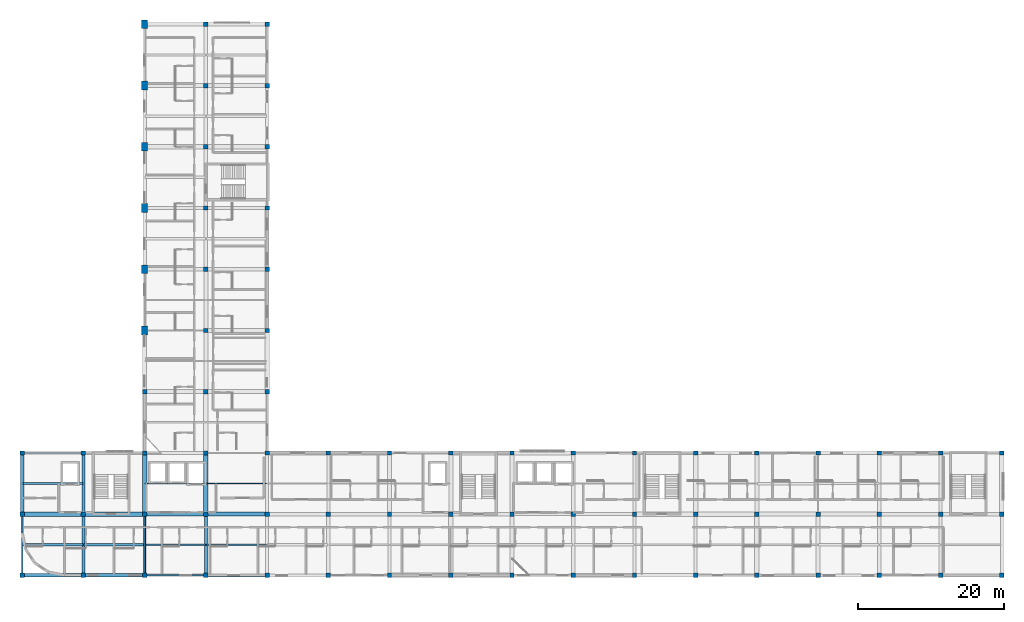
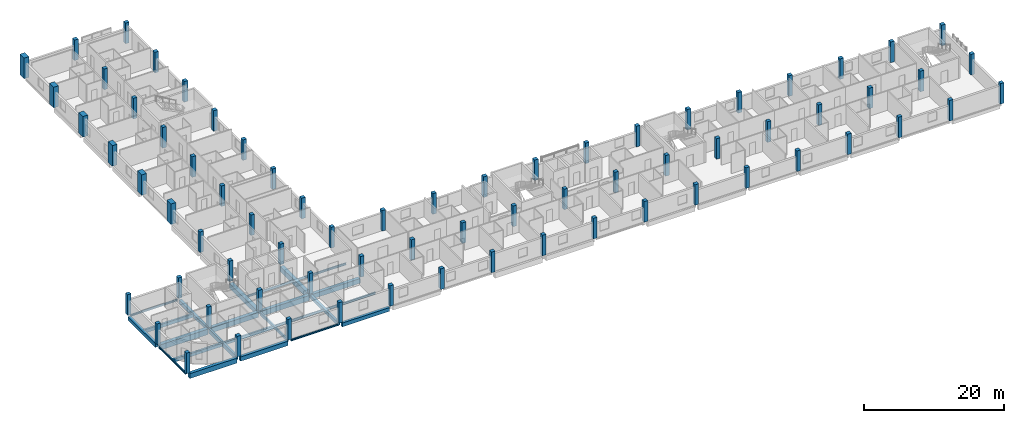
# One storey, part 1 of 24: 72 columns, 24 beams.
"""IFC4 building model written with IfcOpenShell, lengths in metres."""

from ifc_helpers import new_model, si_unit, derived_unit, direction, frame, origin, origin_2d, place, context, subcontext, project, spatial, rectangle, i_section, extrude, material, material_profile, profile_set, type_object, element, save


model = new_model("IFC4")

# Units and contexts
model_context = context("Model", 3, precision=1e-05, world=origin(), true_north=direction((0.0, 1.0)))
body_context = subcontext(model_context, "Body", "Model", "MODEL_VIEW")
ifc_project = project(units=[si_unit("LENGTHUNIT", "METRE"), si_unit("AREAUNIT", "SQUARE_METRE"), si_unit("VOLUMEUNIT", "CUBIC_METRE"), si_unit("PLANEANGLEUNIT", "RADIAN"), si_unit("MASSUNIT", "GRAM", prefix="KILO"), derived_unit("THERMALTRANSMITTANCEUNIT", [(si_unit("POWERUNIT", "WATT"), 1), (si_unit("LENGTHUNIT", "METRE"), -2), (si_unit("THERMODYNAMICTEMPERATUREUNIT", "KELVIN"), -1)])], contexts=[model_context])

# Site, building, storey
site_placement = place(None, origin())
site = spatial("IfcSite", under=ifc_project, at=site_placement, CompositionType="ELEMENT")
building_placement = place(site_placement, origin())
building = spatial("IfcBuilding", under=site, at=building_placement, Name="Barrovel Congress Hotel", CompositionType="ELEMENT")
storey_placement = place(building_placement, frame((0.0, 0.0, 29.10009765625)))
storey = spatial("IfcBuildingStorey", under=building, at=storey_placement, Name="L07", CompositionType="ELEMENT", Elevation=29.10009765625)

# Columns
ifc_material_1 = material(Name="Concrete C40", Category="concrete")
ifc_material_profile_1 = material_profile(ifc_material_1, rectangle(XDim=0.60009765625, YDim=0.60009765625, at=origin_2d()), Name="RC600x600")
ifc_profile_set_1 = profile_set([ifc_material_profile_1], Name="Concrete C40")
column_type_1 = type_object("IfcColumnType", Name="COL-RC600x600", PredefinedType="COLUMN", material=ifc_profile_set_1)
for number, where, z_axis, x_axis, name in (
    (1, (16.800048828125, 4.199951171875, 0.0), (0.0, 0.0, 1.0), (1.0, 0.0, 0.0), "COL:L07:16.8:4.2"),
    (2, (16.800048828125, 12.60009765625, 0.0), (0.0, 0.0, 1.0), (1.0, 0.0, 0.0), "COL:L07:16.8:12.6"),
    (3, (16.800048828125, 21.0, 0.0), (0.0, 0.0, 1.0), (1.0, 0.0, 0.0), "COL:L07:16.8:21.0"),
    (4, (25.199951171875, 4.199951171875, 0.0), (0.0, 0.0, 1.0), (1.0, 0.0, 0.0), "COL:L07:25.2:4.2"),
    (5, (25.199951171875, 12.60009765625, 0.0), (0.0, 0.0, 1.0), (1.0, 0.0, 0.0), "COL:L07:25.2:12.6"),
    (6, (25.199951171875, 21.0, 0.0), (0.0, 0.0, 1.0), (1.0, 0.0, 0.0), "COL:L07:25.2:21.0"),
    (7, (33.60009765625, 4.199951171875, 0.0), (0.0, 0.0, 1.0), (1.0, 0.0, 0.0), "COL:L07:33.6:4.2"),
    (8, (33.60009765625, 12.60009765625, 0.0), (0.0, 0.0, 1.0), (1.0, 0.0, 0.0), "COL:L07:33.6:12.6"),
    (9, (33.60009765625, 21.0, 0.0), (0.0, 0.0, 1.0), (1.0, 0.0, 0.0), "COL:L07:33.6:21.0"),
    (10, (33.60009765625, 29.39990234375, 0.0), (0.0, 0.0, 1.0), (1.0, 0.0, 0.0), "COL:L07:33.6:29.4"),
    (11, (42.0, 4.199951171875, 0.0), (0.0, 0.0, 1.0), (1.0, 0.0, 0.0), "COL:L07:42.0:4.2"),
    (12, (42.0, 12.60009765625, 0.0), (0.0, 0.0, 1.0), (1.0, 0.0, 0.0), "COL:L07:42.0:12.6"),
    (13, (42.0, 21.0, 0.0), (0.0, 0.0, 1.0), (1.0, 0.0, 0.0), "COL:L07:42.0:21.0"),
    (14, (42.0, 29.39990234375, 0.0), (0.0, 0.0, 1.0), (1.0, 0.0, 0.0), "COL:L07:42.0:29.4"),
    (15, (42.0, 37.800048828125, 0.0), (0.0, 0.0, 1.0), (1.0, 0.0, 0.0), "COL:L07:42.0:37.8"),
    (16, (42.0, 46.199951171875, 0.0), (0.0, 0.0, 1.0), (1.0, 0.0, 0.0), "COL:L07:42.0:46.2"),
    (17, (42.0, 54.60009765625, 0.0), (0.0, 0.0, 1.0), (1.0, 0.0, 0.0), "COL:L07:42.0:54.6"),
    (18, (42.0, 63.0, 0.0), (0.0, 0.0, 1.0), (1.0, 0.0, 0.0), "COL:L07:42.0:63.0"),
    (19, (42.0, 71.39990234375, 0.0), (0.0, 0.0, 1.0), (1.0, 0.0, 0.0), "COL:L07:42.0:71.4"),
    (20, (42.0, 79.800048828125, 0.0), (0.0, 0.0, 1.0), (1.0, 0.0, 0.0), "COL:L07:42.0:79.8"),
    (21, (50.39990234375, 4.199951171875, 0.0), (0.0, 0.0, 1.0), (1.0, 0.0, 0.0), "COL:L07:50.4:4.2"),
    (22, (50.39990234375, 12.60009765625, 0.0), (0.0, 0.0, 1.0), (1.0, 0.0, 0.0), "COL:L07:50.4:12.6"),
    (23, (50.39990234375, 21.0, 0.0), (0.0, 0.0, 1.0), (1.0, 0.0, 0.0), "COL:L07:50.4:21.0"),
    (24, (50.39990234375, 29.39990234375, 0.0), (0.0, 0.0, 1.0), (1.0, 0.0, 0.0), "COL:L07:50.4:29.4"),
    (25, (50.39990234375, 37.800048828125, 0.0), (0.0, 0.0, 1.0), (1.0, 0.0, 0.0), "COL:L07:50.4:37.8"),
    (26, (50.39990234375, 46.199951171875, 0.0), (0.0, 0.0, 1.0), (1.0, 0.0, 0.0), "COL:L07:50.4:46.2"),
    (27, (50.39990234375, 54.60009765625, 0.0), (0.0, 0.0, 1.0), (1.0, 0.0, 0.0), "COL:L07:50.4:54.6"),
    (28, (50.39990234375, 63.0, 0.0), (0.0, 0.0, 1.0), (1.0, 0.0, 0.0), "COL:L07:50.4:63.0"),
    (29, (50.39990234375, 71.39990234375, 0.0), (0.0, 0.0, 1.0), (1.0, 0.0, 0.0), "COL:L07:50.4:71.4"),
    (30, (50.39990234375, 79.800048828125, 0.0), (0.0, 0.0, 1.0), (1.0, 0.0, 0.0), "COL:L07:50.4:79.8"),
    (31, (58.800048828125, 4.199951171875, 0.0), (0.0, 0.0, 1.0), (1.0, 0.0, 0.0), "COL:L07:58.8:4.2"),
    (32, (58.800048828125, 12.60009765625, 0.0), (0.0, 0.0, 1.0), (1.0, 0.0, 0.0), "COL:L07:58.8:12.6"),
    (33, (58.800048828125, 21.0, 0.0), (0.0, 0.0, 1.0), (1.0, 0.0, 0.0), "COL:L07:58.8:21.0"),
    (34, (67.199951171875, 4.199951171875, 0.0), (0.0, 0.0, 1.0), (1.0, 0.0, 0.0), "COL:L07:67.2:4.2"),
    (35, (67.199951171875, 12.60009765625, 0.0), (0.0, 0.0, 1.0), (1.0, 0.0, 0.0), "COL:L07:67.2:12.6"),
    (36, (67.199951171875, 21.0, 0.0), (0.0, 0.0, 1.0), (1.0, 0.0, 0.0), "COL:L07:67.2:21.0"),
    (37, (75.60009765625, 4.199951171875, 0.0), (0.0, 0.0, 1.0), (1.0, 0.0, 0.0), "COL:L07:75.6:4.2"),
    (38, (75.60009765625, 12.60009765625, 0.0), (0.0, 0.0, 1.0), (1.0, 0.0, 0.0), "COL:L07:75.6:12.6"),
    (39, (75.60009765625, 21.0, 0.0), (0.0, 0.0, 1.0), (1.0, 0.0, 0.0), "COL:L07:75.6:21.0"),
    (40, (84.0, 4.199951171875, 0.0), (0.0, 0.0, 1.0), (1.0, 0.0, 0.0), "COL:L07:84.0:4.2"),
    (41, (84.0, 12.60009765625, 0.0), (0.0, 0.0, 1.0), (1.0, 0.0, 0.0), "COL:L07:84.0:12.6"),
    (42, (84.0, 21.0, 0.0), (0.0, 0.0, 1.0), (1.0, 0.0, 0.0), "COL:L07:84.0:21.0"),
    (43, (92.39990234375, 4.199951171875, 0.0), (0.0, 0.0, 1.0), (1.0, 0.0, 0.0), "COL:L07:92.4:4.2"),
    (44, (92.39990234375, 12.60009765625, 0.0), (0.0, 0.0, 1.0), (1.0, 0.0, 0.0), "COL:L07:92.4:12.6"),
    (45, (92.39990234375, 21.0, 0.0), (0.0, 0.0, 1.0), (1.0, 0.0, 0.0), "COL:L07:92.4:21.0"),
    (46, (100.800048828125, 4.199951171875, 0.0), (0.0, 0.0, 1.0), (1.0, 0.0, 0.0), "COL:L07:100.8:4.2"),
    (47, (100.800048828125, 12.60009765625, 0.0), (0.0, 0.0, 1.0), (1.0, 0.0, 0.0), "COL:L07:100.8:12.6"),
    (48, (100.800048828125, 21.0, 0.0), (0.0, 0.0, 1.0), (1.0, 0.0, 0.0), "COL:L07:100.8:21.0"),
    (49, (109.199951171875, 4.199951171875, 0.0), (0.0, 0.0, 1.0), (1.0, 0.0, 0.0), "COL:L07:109.2:4.2"),
    (50, (109.199951171875, 12.60009765625, 0.0), (0.0, 0.0, 1.0), (1.0, 0.0, 0.0), "COL:L07:109.2:12.6"),
    (51, (109.199951171875, 21.0, 0.0), (0.0, 0.0, 1.0), (1.0, 0.0, 0.0), "COL:L07:109.2:21.0"),
    (52, (117.60009765625, 4.199951171875, 0.0), (0.0, 0.0, 1.0), (1.0, 0.0, 0.0), "COL:L07:117.6:4.2"),
    (53, (117.60009765625, 12.60009765625, 0.0), (0.0, 0.0, 1.0), (1.0, 0.0, 0.0), "COL:L07:117.6:12.6"),
    (54, (117.60009765625, 21.0, 0.0), (0.0, 0.0, 1.0), (1.0, 0.0, 0.0), "COL:L07:117.6:21.0"),
    (55, (126.0, 4.199951171875, 0.0), (0.0, 0.0, 1.0), (1.0, 0.0, 0.0), "COL:L07:126.0:4.2"),
    (56, (126.0, 12.60009765625, 0.0), (0.0, 0.0, 1.0), (1.0, 0.0, 0.0), "COL:L07:126.0:12.6"),
    (57, (126.0, 21.0, 0.0), (0.0, 0.0, 1.0), (1.0, 0.0, 0.0), "COL:L07:126.0:21.0"),
    (58, (134.39990234375, 4.199951171875, 0.0), (0.0, 0.0, 1.0), (1.0, 0.0, 0.0), "COL:L07:134.4:4.2"),
    (59, (134.39990234375, 12.60009765625, 0.0), (0.0, 0.0, 1.0), (1.0, 0.0, 0.0), "COL:L07:134.4:12.6"),
    (60, (134.39990234375, 21.0, 0.0), (0.0, 0.0, 1.0), (1.0, 0.0, 0.0), "COL:L07:134.4:21.0"),
    (61, (142.800048828125, 4.199951171875, 0.0), (0.0, 0.0, 1.0), (1.0, 0.0, 0.0), "COL:L07:142.8:4.2"),
    (62, (142.800048828125, 12.60009765625, 0.0), (0.0, 0.0, 1.0), (1.0, 0.0, 0.0), "COL:L07:142.8:12.6"),
    (63, (142.800048828125, 21.0, 0.0), (0.0, 0.0, 1.0), (1.0, 0.0, 0.0), "COL:L07:142.8:21.0"),
    (64, (151.199951171875, 4.199951171875, 0.0), (0.0, 0.0, 1.0), (1.0, 0.0, 0.0), "COL:L07:151.2:4.2"),
    (65, (151.199951171875, 12.60009765625, 0.0), (0.0, 0.0, 1.0), (1.0, 0.0, 0.0), "COL:L07:151.2:12.6"),
    (66, (151.199951171875, 21.0, 0.0), (0.0, 0.0, 1.0), (1.0, 0.0, 0.0), "COL:L07:151.2:21.0"),
):
    element("IfcColumn", number, at=place(storey_placement, frame(where, z_axis=z_axis, x_axis=x_axis)), inside=storey, type_object=column_type_1, Name=name, PredefinedType="COLUMN", context=body_context, shape_type="SweptSolid", body=[
        extrude(rectangle(XDim=0.60009765625, YDim=0.60009765625, at=origin_2d()), origin(), (0.0, 0.0, 1.0), 3.599853515625),
    ])
ifc_material_profile_2 = material_profile(ifc_material_1, rectangle(XDim=0.800048828125, YDim=1.199951171875, at=origin_2d()), Name="RC800x1200")
ifc_profile_set_2 = profile_set([ifc_material_profile_2], Name="Concrete C40")
column_type_2 = type_object("IfcColumnType", Name="COL-RC800x1200", PredefinedType="COLUMN", material=ifc_profile_set_2)
for number, where, z_axis, x_axis, name in (
    (67, (33.60009765625, 37.800048828125, 0.0), (0.0, 0.0, 1.0), (1.0, 0.0, 0.0), "COL:L07:33.6:37.8"),
    (68, (33.60009765625, 46.199951171875, 0.0), (0.0, 0.0, 1.0), (1.0, 0.0, 0.0), "COL:L07:33.6:46.2"),
    (69, (33.60009765625, 54.60009765625, 0.0), (0.0, 0.0, 1.0), (1.0, 0.0, 0.0), "COL:L07:33.6:54.6"),
    (70, (33.60009765625, 63.0, 0.0), (0.0, 0.0, 1.0), (1.0, 0.0, 0.0), "COL:L07:33.6:63.0"),
    (71, (33.60009765625, 71.39990234375, 0.0), (0.0, 0.0, 1.0), (1.0, 0.0, 0.0), "COL:L07:33.6:71.4"),
    (72, (33.60009765625, 79.800048828125, 0.0), (0.0, 0.0, 1.0), (1.0, 0.0, 0.0), "COL:L07:33.6:79.8"),
):
    element("IfcColumn", number, at=place(storey_placement, frame(where, z_axis=z_axis, x_axis=x_axis)), inside=storey, type_object=column_type_2, Name=name, PredefinedType="COLUMN", context=body_context, shape_type="SweptSolid", body=[
        extrude(rectangle(XDim=0.800048828125, YDim=1.199951171875, at=origin_2d()), origin(), (0.0, 0.0, 1.0), 3.599853515625),
    ])

# Beams
ifc_material_profile_3 = material_profile(ifc_material_1, rectangle(XDim=0.25, YDim=0.5, at=origin_2d()), Name="RC250x500")
ifc_profile_set_3 = profile_set([ifc_material_profile_3], Name="Concrete C40")
beam_type_1 = type_object("IfcBeamType", Name="BM-RC250x500", PredefinedType="SPANDREL", material=ifc_profile_set_3)
beam_1_placement = place(storey_placement, frame((33.60009765625, 4.5, -0.47021484375), z_axis=(0.0, 1.0, 0.0), x_axis=(-1.0, 0.0, 0.0)))
element("IfcBeam", 73, at=beam_1_placement, inside=storey, type_object=beam_type_1, Name="BMY:L07:33.6:4.2-12.6", PredefinedType="SPANDREL", context=body_context, shape_type="SweptSolid", body=[
    extrude(rectangle(XDim=0.25, YDim=0.5, at=origin_2d()), origin(), (0.0, 0.0, 1.0), 7.800048828125),
])
ifc_material_profile_4 = material_profile(ifc_material_1, rectangle(XDim=0.300048828125, YDim=0.5, at=origin_2d()), Name="RC300x500")
ifc_profile_set_4 = profile_set([ifc_material_profile_4], Name="Concrete C40")
beam_type_2 = type_object("IfcBeamType", Name="BM-RC300x500", PredefinedType="JOIST", material=ifc_profile_set_4)
beam_2_placement = place(storey_placement, frame((25.280029296875, 8.39990234375, -0.47021484375), z_axis=(1.0, 0.0, 0.0), x_axis=(0.0, 1.0, 0.0)))
element("IfcBeam", 74, at=beam_2_placement, inside=storey, type_object=beam_type_2, Name="JST:L07:25.2:8.4", PredefinedType="JOIST", context=body_context, shape_type="SweptSolid", body=[
    extrude(rectangle(XDim=0.300048828125, YDim=0.5, at=origin_2d()), origin(), (0.0, 0.0, 1.0), 8.239990234375),
])
ifc_material_profile_5 = material_profile(ifc_material_1, rectangle(XDim=0.300048828125, YDim=0.60009765625, at=origin_2d()), Name="RC300x600")
ifc_profile_set_5 = profile_set([ifc_material_profile_5], Name="Concrete C40")
beam_type_3 = type_object("IfcBeamType", Name="BM-RC300x600", PredefinedType="JOIST", material=ifc_profile_set_5)
beam_3_placement = place(storey_placement, frame((16.8798828125, 16.800048828125, -0.52001953125), z_axis=(1.0, 0.0, 0.0), x_axis=(0.0, 1.0, 0.0)))
element("IfcBeam", 75, at=beam_3_placement, inside=storey, type_object=beam_type_3, Name="JST:L07:16.8:16.8", PredefinedType="JOIST", context=body_context, shape_type="SweptSolid", body=[
    extrude(rectangle(XDim=0.300048828125, YDim=0.60009765625, at=origin_2d()), origin(), (0.0, 0.0, 1.0), 8.240234375),
])
ifc_material_profile_6 = material_profile(ifc_material_1, rectangle(XDim=0.35009765625, YDim=0.550048828125, at=origin_2d()), Name="RC350x550")
ifc_profile_set_6 = profile_set([ifc_material_profile_6], Name="Concrete C40")
beam_type_4 = type_object("IfcBeamType", Name="BM-RC350x550", PredefinedType="JOIST", material=ifc_profile_set_6)
beam_4_placement = place(storey_placement, frame((16.8798828125, 8.39990234375, -0.4951171875), z_axis=(1.0, 0.0, 0.0), x_axis=(0.0, 1.0, 0.0)))
element("IfcBeam", 76, at=beam_4_placement, inside=storey, type_object=beam_type_4, Name="JST:L07:16.8:8.4", PredefinedType="JOIST", context=body_context, shape_type="SweptSolid", body=[
    extrude(rectangle(XDim=0.35009765625, YDim=0.550048828125, at=origin_2d()), origin(), (0.0, 0.0, 1.0), 8.240234375),
])
ifc_material_profile_7 = material_profile(ifc_material_1, rectangle(XDim=0.39990234375, YDim=0.60009765625, at=origin_2d()), Name="RC400x600")
ifc_profile_set_7 = profile_set([ifc_material_profile_7], Name="Concrete C40")
beam_type_5 = type_object("IfcBeamType", Name="BM-RC400x600", PredefinedType="BEAM", material=ifc_profile_set_7)
for number, where, z_axis, x_axis, name in (
    (77, (25.199951171875, 12.89990234375, -0.52001953125), (0.0, 1.0, 0.0), (-1.0, 0.0, 0.0), "BMY:L07:25.2:12.6-21.0"),
    (78, (42.0, 4.5, -0.52001953125), (0.0, 1.0, 0.0), (-1.0, 0.0, 0.0), "BMY:L07:42.0:4.2-12.6"),
):
    element("IfcBeam", number, at=place(storey_placement, frame(where, z_axis=z_axis, x_axis=x_axis)), inside=storey, type_object=beam_type_5, Name=name, PredefinedType="BEAM", context=body_context, shape_type="SweptSolid", body=[
        extrude(rectangle(XDim=0.39990234375, YDim=0.60009765625, at=origin_2d()), origin(), (0.0, 0.0, 1.0), 7.800048828125),
    ])
ifc_material_profile_8 = material_profile(ifc_material_1, rectangle(XDim=0.39990234375, YDim=0.699951171875, at=origin_2d()), Name="RC400x700")
ifc_profile_set_8 = profile_set([ifc_material_profile_8], Name="Concrete C40")
beam_type_6 = type_object("IfcBeamType", Name="BM-RC400x700", PredefinedType="BEAM", material=ifc_profile_set_8)
beam_5_placement = place(storey_placement, frame((25.199951171875, 4.5, -0.570068359375), z_axis=(0.0, 1.0, 0.0), x_axis=(-1.0, 0.0, 0.0)))
element("IfcBeam", 79, at=beam_5_placement, inside=storey, type_object=beam_type_6, Name="BMY:L07:25.2:4.2-12.6", PredefinedType="BEAM", context=body_context, shape_type="SweptSolid", body=[
    extrude(rectangle(XDim=0.39990234375, YDim=0.699951171875, at=origin_2d()), origin(), (0.0, 0.0, 1.0), 7.800048828125),
])
ifc_material_profile_9 = material_profile(ifc_material_1, rectangle(XDim=0.449951171875, YDim=0.64990234375, at=origin_2d()), Name="RC450x650")
ifc_profile_set_9 = profile_set([ifc_material_profile_9], Name="Concrete C40")
beam_type_7 = type_object("IfcBeamType", Name="BM-RC450x650", PredefinedType="BEAM", material=ifc_profile_set_9)
for number, where, z_axis, x_axis, name in (
    (80, (42.300048828125, 4.199951171875, -0.545166015625), (1.0, 0.0, 0.0), (0.0, 1.0, 0.0), "BMX:L07:4.2:42.0-50.4"),
    (81, (16.800048828125, 12.89990234375, -0.545166015625), (0.0, 1.0, 0.0), (-1.0, 0.0, 0.0), "BMY:L07:16.8:12.6-21.0"),
):
    element("IfcBeam", number, at=place(storey_placement, frame(where, z_axis=z_axis, x_axis=x_axis)), inside=storey, type_object=beam_type_7, Name=name, PredefinedType="BEAM", context=body_context, shape_type="SweptSolid", body=[
        extrude(rectangle(XDim=0.449951171875, YDim=0.64990234375, at=origin_2d()), origin(), (0.0, 0.0, 1.0), 7.800048828125),
    ])
ifc_material_profile_10 = material_profile(ifc_material_1, rectangle(XDim=0.5, YDim=0.75, at=origin_2d()), Name="RC500x750")
ifc_profile_set_10 = profile_set([ifc_material_profile_10], Name="Concrete C40")
beam_type_8 = type_object("IfcBeamType", Name="BM-RC500x750", PredefinedType="BEAM", material=ifc_profile_set_10)
beam_6_placement = place(storey_placement, frame((25.5, 4.199951171875, -0.59521484375), z_axis=(1.0, 0.0, 0.0), x_axis=(0.0, 1.0, 0.0)))
element("IfcBeam", 82, at=beam_6_placement, inside=storey, type_object=beam_type_8, Name="BMX:L07:4.2:25.2-33.6", PredefinedType="BEAM", context=body_context, shape_type="SweptSolid", body=[
    extrude(rectangle(XDim=0.5, YDim=0.75, at=origin_2d()), origin(), (0.0, 0.0, 1.0), 7.800048828125),
])
ifc_material_profile_11 = material_profile(ifc_material_1, rectangle(XDim=0.5, YDim=0.85009765625, at=origin_2d()), Name="RC500x850")
ifc_profile_set_11 = profile_set([ifc_material_profile_11], Name="Concrete C40")
beam_type_9 = type_object("IfcBeamType", Name="BM-RC500x850", PredefinedType="BEAM", material=ifc_profile_set_11)
beam_7_placement = place(storey_placement, frame((17.10009765625, 4.199951171875, -0.64501953125), z_axis=(1.0, 0.0, 0.0), x_axis=(0.0, 1.0, 0.0)))
element("IfcBeam", 83, at=beam_7_placement, inside=storey, type_object=beam_type_9, Name="BMX:L07:4.2:16.8-25.2", PredefinedType="BEAM", context=body_context, shape_type="SweptSolid", body=[
    extrude(rectangle(XDim=0.5, YDim=0.85009765625, at=origin_2d()), origin(), (0.0, 0.0, 1.0), 7.7998046875),
])
ifc_material_profile_12 = material_profile(ifc_material_1, rectangle(XDim=0.550048828125, YDim=0.800048828125, at=origin_2d()), Name="RC550x800")
ifc_profile_set_12 = profile_set([ifc_material_profile_12], Name="Concrete C40")
beam_type_10 = type_object("IfcBeamType", Name="BM-RC550x800", PredefinedType="BEAM", material=ifc_profile_set_12)
beam_8_placement = place(storey_placement, frame((42.300048828125, 12.60009765625, -0.6201171875), z_axis=(1.0, 0.0, 0.0), x_axis=(0.0, 1.0, 0.0)))
element("IfcBeam", 84, at=beam_8_placement, inside=storey, type_object=beam_type_10, Name="BMX:L07:12.6:42.0-50.4", PredefinedType="BEAM", context=body_context, shape_type="SweptSolid", body=[
    extrude(rectangle(XDim=0.550048828125, YDim=0.800048828125, at=origin_2d()), origin(), (0.0, 0.0, 1.0), 7.800048828125),
])
ifc_material_profile_13 = material_profile(ifc_material_1, rectangle(XDim=0.550048828125, YDim=0.89990234375, at=origin_2d()), Name="RC550x900")
ifc_profile_set_13 = profile_set([ifc_material_profile_13], Name="Concrete C40")
beam_type_11 = type_object("IfcBeamType", Name="BM-RC550x900", PredefinedType="BEAM", material=ifc_profile_set_13)
beam_9_placement = place(storey_placement, frame((33.89990234375, 12.60009765625, -0.670166015625), z_axis=(1.0, 0.0, 0.0), x_axis=(0.0, 1.0, 0.0)))
element("IfcBeam", 85, at=beam_9_placement, inside=storey, type_object=beam_type_11, Name="BMX:L07:12.6:33.6-42.0", PredefinedType="BEAM", context=body_context, shape_type="SweptSolid", body=[
    extrude(rectangle(XDim=0.550048828125, YDim=0.89990234375, at=origin_2d()), origin(), (0.0, 0.0, 1.0), 7.800048828125),
])
ifc_material_profile_14 = material_profile(ifc_material_1, rectangle(XDim=0.60009765625, YDim=0.85009765625, at=origin_2d()), Name="RC600x850")
ifc_profile_set_14 = profile_set([ifc_material_profile_14], Name="Concrete C40")
beam_type_12 = type_object("IfcBeamType", Name="BM-RC600x850", PredefinedType="BEAM", material=ifc_profile_set_14)
for number, where, z_axis, x_axis, name in (
    (86, (25.5, 12.60009765625, -0.64501953125), (1.0, 0.0, 0.0), (0.0, 1.0, 0.0), "BMX:L07:12.6:25.2-33.6"),
    (87, (33.60009765625, 12.89990234375, -0.64501953125), (0.0, 1.0, 0.0), (-1.0, 0.0, 0.0), "BMY:L07:33.6:12.6-21.0"),
):
    element("IfcBeam", number, at=place(storey_placement, frame(where, z_axis=z_axis, x_axis=x_axis)), inside=storey, type_object=beam_type_12, Name=name, PredefinedType="BEAM", context=body_context, shape_type="SweptSolid", body=[
        extrude(rectangle(XDim=0.60009765625, YDim=0.85009765625, at=origin_2d()), origin(), (0.0, 0.0, 1.0), 7.800048828125),
    ])
ifc_material_profile_15 = material_profile(ifc_material_1, rectangle(XDim=0.60009765625, YDim=0.949951171875, at=origin_2d()), Name="RC600x950")
ifc_profile_set_15 = profile_set([ifc_material_profile_15], Name="Concrete C40")
beam_type_13 = type_object("IfcBeamType", Name="BM-RC600x950", PredefinedType="BEAM", material=ifc_profile_set_15)
beam_10_placement = place(storey_placement, frame((17.10009765625, 12.60009765625, -0.695068359375), z_axis=(1.0, 0.0, 0.0), x_axis=(0.0, 1.0, 0.0)))
element("IfcBeam", 88, at=beam_10_placement, inside=storey, type_object=beam_type_13, Name="BMX:L07:12.6:16.8-25.2", PredefinedType="BEAM", context=body_context, shape_type="SweptSolid", body=[
    extrude(rectangle(XDim=0.60009765625, YDim=0.949951171875, at=origin_2d()), origin(), (0.0, 0.0, 1.0), 7.7998046875),
])
beam_11_placement = place(storey_placement, frame((42.0, 12.89990234375, -0.695068359375), z_axis=(0.0, 1.0, 0.0), x_axis=(-1.0, 0.0, 0.0)))
element("IfcBeam", 89, at=beam_11_placement, inside=storey, type_object=beam_type_13, Name="BMY:L07:42.0:12.6-21.0", PredefinedType="BEAM", context=body_context, shape_type="SweptSolid", body=[
    extrude(rectangle(XDim=0.60009765625, YDim=0.949951171875, at=origin_2d()), origin(), (0.0, 0.0, 1.0), 7.800048828125),
])
ifc_material_2 = material(Name="Steel ASTM A992 Grade 50", Category="steel")
ifc_material_profile_16 = material_profile(ifc_material_2, i_section(OverallWidth=0.205078125, OverallDepth=0.31005859375, WebThickness=0.009521484375, FlangeThickness=0.016357421875, FilletRadius=0.012939453125, at=origin_2d()), Name="W310x74")
ifc_profile_set_16 = profile_set([ifc_material_profile_16], Name="Steel ASTM A992 Grade 50")
beam_type_14 = type_object("IfcBeamType", Name="SBM-W310x74", PredefinedType="SPANDREL", material=ifc_profile_set_16)
beam_12_placement = place(storey_placement, frame((33.89990234375, 4.199951171875, -0.375), z_axis=(1.0, 0.0, 0.0), x_axis=(0.0, 1.0, 0.0)))
element("IfcBeam", 90, at=beam_12_placement, inside=storey, type_object=beam_type_14, Name="BMX:L07:4.2:33.6-42.0", PredefinedType="SPANDREL", context=body_context, shape_type="SweptSolid", body=[
    extrude(i_section(OverallWidth=0.205078125, OverallDepth=0.31005859375, WebThickness=0.009521484375, FlangeThickness=0.016357421875, FilletRadius=0.012939453125, at=origin_2d()), origin(), (0.0, 0.0, 1.0), 7.800048828125),
])
beam_13_placement = place(storey_placement, frame((17.10009765625, 21.0, -0.375), z_axis=(1.0, 0.0, 0.0), x_axis=(0.0, 1.0, 0.0)))
element("IfcBeam", 91, at=beam_13_placement, inside=storey, type_object=beam_type_14, Name="BMX:L07:21.0:16.8-25.2", PredefinedType="SPANDREL", context=body_context, shape_type="SweptSolid", body=[
    extrude(i_section(OverallWidth=0.205078125, OverallDepth=0.31005859375, WebThickness=0.009521484375, FlangeThickness=0.016357421875, FilletRadius=0.012939453125, at=origin_2d()), origin(), (0.0, 0.0, 1.0), 7.7998046875),
])
beam_14_placement = place(storey_placement, frame((16.800048828125, 4.5, -0.375), z_axis=(0.0, 1.0, 0.0), x_axis=(-1.0, 0.0, 0.0)))
element("IfcBeam", 92, at=beam_14_placement, inside=storey, type_object=beam_type_14, Name="BMY:L07:16.8:4.2-12.6", PredefinedType="SPANDREL", context=body_context, shape_type="SweptSolid", body=[
    extrude(i_section(OverallWidth=0.205078125, OverallDepth=0.31005859375, WebThickness=0.009521484375, FlangeThickness=0.016357421875, FilletRadius=0.012939453125, at=origin_2d()), origin(), (0.0, 0.0, 1.0), 7.800048828125),
])
ifc_material_profile_17 = material_profile(ifc_material_2, i_section(OverallWidth=0.172119140625, OverallDepth=0.35791015625, WebThickness=0.0078125, FlangeThickness=0.01318359375, FilletRadius=0.011962890625, at=origin_2d()), Name="W360x57")
ifc_profile_set_17 = profile_set([ifc_material_profile_17], Name="Steel ASTM A992 Grade 50")
beam_type_15 = type_object("IfcBeamType", Name="SBM-W360x57", PredefinedType="JOIST", material=ifc_profile_set_17)
for number, where, z_axis, x_axis, name in (
    (93, (33.679931640625, 16.800048828125, -0.399169921875), (1.0, 0.0, 0.0), (0.0, 1.0, 0.0), "JST:L07:33.6:16.8"),
    (94, (42.080078125, 16.800048828125, -0.399169921875), (1.0, 0.0, 0.0), (0.0, 1.0, 0.0), "JST:L07:42.0:16.8"),
):
    element("IfcBeam", number, at=place(storey_placement, frame(where, z_axis=z_axis, x_axis=x_axis)), inside=storey, type_object=beam_type_15, Name=name, PredefinedType="JOIST", context=body_context, shape_type="SweptSolid", body=[
        extrude(i_section(OverallWidth=0.172119140625, OverallDepth=0.35791015625, WebThickness=0.0078125, FlangeThickness=0.01318359375, FilletRadius=0.011962890625, at=origin_2d()), origin(), (0.0, 0.0, 1.0), 8.239990234375),
    ])
ifc_material_profile_18 = material_profile(ifc_material_2, i_section(OverallWidth=0.177001953125, OverallDepth=0.403076171875, WebThickness=0.007568359375, FlangeThickness=0.010986328125, FilletRadius=0.011962890625, at=origin_2d()), Name="W410x53")
ifc_profile_set_18 = profile_set([ifc_material_profile_18], Name="Steel ASTM A992 Grade 50")
beam_type_16 = type_object("IfcBeamType", Name="SBM-W410x53", PredefinedType="JOIST", material=ifc_profile_set_18)
for number, where, z_axis, x_axis, name in (
    (95, (33.679931640625, 8.39990234375, -0.421630859375), (1.0, 0.0, 0.0), (0.0, 1.0, 0.0), "JST:L07:33.6:8.4"),
    (96, (42.080078125, 8.39990234375, -0.421630859375), (1.0, 0.0, 0.0), (0.0, 1.0, 0.0), "JST:L07:42.0:8.4"),
):
    element("IfcBeam", number, at=place(storey_placement, frame(where, z_axis=z_axis, x_axis=x_axis)), inside=storey, type_object=beam_type_16, Name=name, PredefinedType="JOIST", context=body_context, shape_type="SweptSolid", body=[
        extrude(i_section(OverallWidth=0.177001953125, OverallDepth=0.403076171875, WebThickness=0.007568359375, FlangeThickness=0.010986328125, FilletRadius=0.011962890625, at=origin_2d()), origin(), (0.0, 0.0, 1.0), 8.239990234375),
    ])

save(model, "model.ifc")
